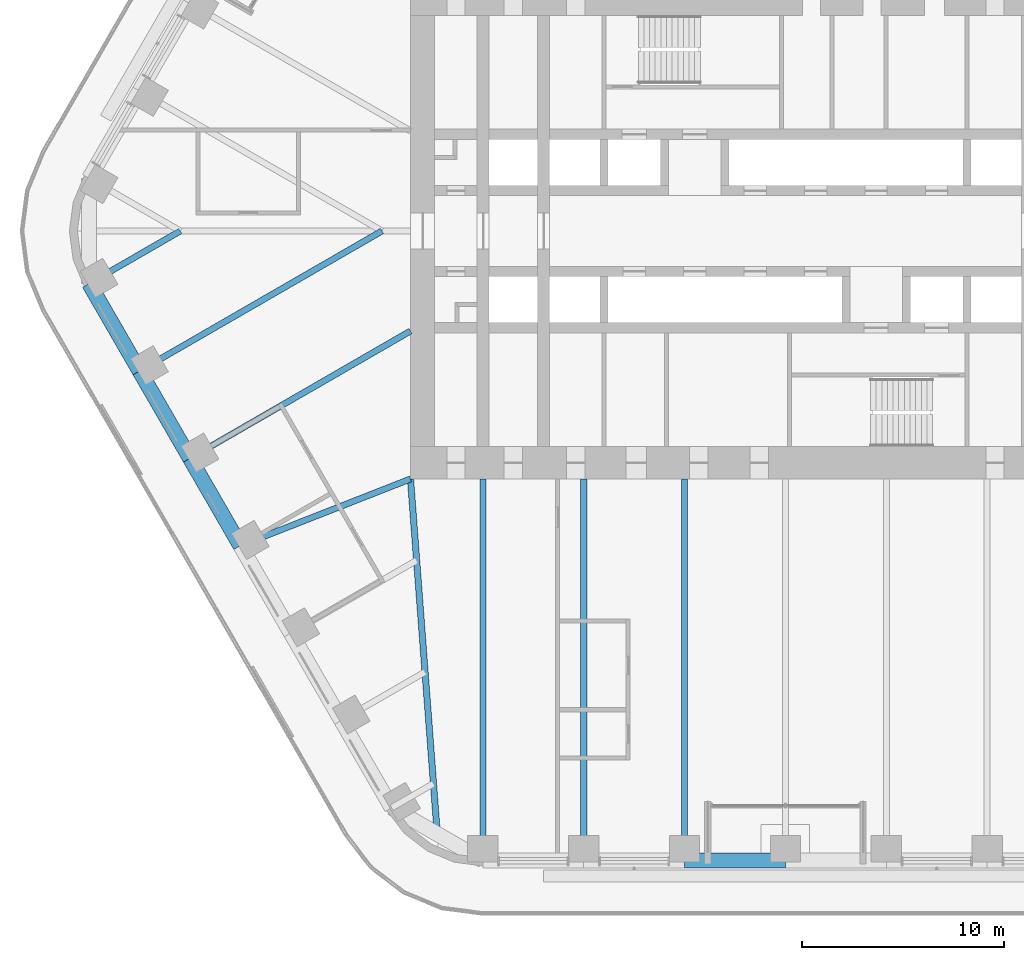
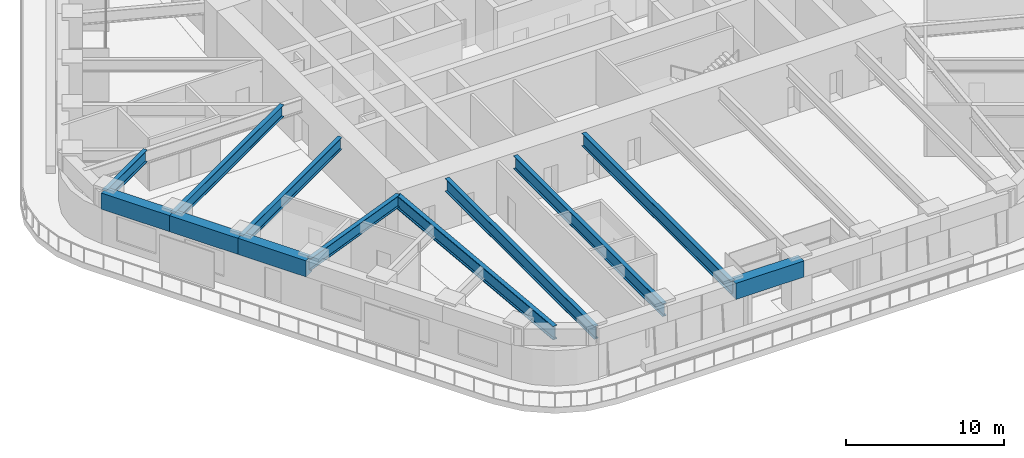
# One storey, part 3 of 24: 12 beams.
"""IFC4 building model written with IfcOpenShell, lengths in metres."""

from ifc_helpers import new_model, si_unit, direction, frame, origin, origin_2d, place, context, subcontext, project, spatial, rectangle, i_section, extrude, material, material_profile, profile_set, type_object, element, save


model = new_model("IFC4")

# Units and contexts
model_context = context("Model", 3, precision=1e-05, world=origin(), true_north=direction((0.0, 1.0)))
body_context = subcontext(model_context, "Body", "Model", "MODEL_VIEW")
ifc_project = project(units=[si_unit("LENGTHUNIT", "METRE"), si_unit("AREAUNIT", "SQUARE_METRE"), si_unit("VOLUMEUNIT", "CUBIC_METRE"), si_unit("PLANEANGLEUNIT", "RADIAN"), si_unit("MASSUNIT", "GRAM", prefix="KILO")], contexts=[model_context])

# Site, building, storey
site_placement = place(None, origin())
site = spatial("IfcSite", under=ifc_project, at=site_placement, CompositionType="ELEMENT")
building_placement = place(site_placement, origin())
building = spatial("IfcBuilding", under=site, at=building_placement, Name="Tarfa Lantern Tower", CompositionType="ELEMENT")
storey_placement = place(building_placement, frame((0.0, 0.0, 190.89990234375)))
storey = spatial("IfcBuildingStorey", under=building, at=storey_placement, Name="L43", CompositionType="ELEMENT", Elevation=190.89990234375)

# Beams
ifc_material_1 = material(Name="Concrete C80/95", Category="concrete")
ifc_material_profile_1 = material_profile(ifc_material_1, rectangle(XDim=0.75, YDim=1.25, at=origin_2d()), Name="RC 750x1250")
ifc_profile_set_1 = profile_set([ifc_material_profile_1], Name="Concrete C80/95")
beam_type_1 = type_object("IfcBeamType", Name="EB2 RC 750x1250", PredefinedType="SPANDREL", material=ifc_profile_set_1)
for number, where, z_axis, x_axis, name in (
    (1, (-34.54296875, -2.610107421875, 3.375), (0.500022324899, -0.866012514114, 0.0), (0.866012514114, 0.500022324899, 0.0), "Edge beam SW0"),
    (2, (-32.041015625, -6.943359375, 3.375), (0.500022324899, -0.866012514114, 0.0), (0.866012514114, 0.500022324899, 0.0), "Edge beam SW1"),
    (3, (-29.5390625, -11.276611328125, 3.375), (0.499964603504, -0.866045838996, 0.0), (0.866045838996, 0.499964603504, 0.0), "Edge beam SW2"),
    (4, (-5.003662109375, -31.219970703125, 3.375), (1.0, 0.0, 0.0), (0.0, 1.0, 0.0), "Edge beam S2"),
):
    element("IfcBeam", number, at=place(storey_placement, frame(where, z_axis=z_axis, x_axis=x_axis)), inside=storey, type_object=beam_type_1, Name=name, PredefinedType="SPANDREL", context=body_context, shape_type="SweptSolid", body=[
        extrude(rectangle(XDim=0.75, YDim=1.25, at=origin_2d()), origin(), (0.0, 0.0, 1.0), 5.003662109375),
    ])
ifc_material_2 = material(Name="Steel S460M", Category="steel")
ifc_material_profile_2 = material_profile(ifc_material_2, i_section(OverallWidth=0.302001953125, OverallDepth=1.008056640625, WebThickness=0.02099609375, FlangeThickness=0.0400390625, FilletRadius=0.030029296875, at=origin_2d()), Name="UB1016x305x349")
ifc_profile_set_2 = profile_set([ifc_material_profile_2], Name="Steel S460M")
beam_type_2 = type_object("IfcBeamType", Name="UB1016x305x349", PredefinedType="BEAM", material=ifc_profile_set_2)
for number, where, z_axis, x_axis, name in (
    (5, (-15.010986328125, -31.219970703125, 3.49609375), (0.0, 1.0, 0.0), (-1.0, 0.0, 0.0), "Floor beam S0"),
    (6, (-10.00732421875, -31.219970703125, 3.49609375), (0.0, 1.0, 0.0), (-1.0, 0.0, 0.0), "Floor beam S1"),
    (7, (-5.003662109375, -31.219970703125, 3.49609375), (0.0, 1.0, 0.0), (-1.0, 0.0, 0.0), "Floor beam S2"),
):
    element("IfcBeam", number, at=place(storey_placement, frame(where, z_axis=z_axis, x_axis=x_axis)), inside=storey, type_object=beam_type_2, Name=name, PredefinedType="BEAM", context=body_context, shape_type="SweptSolid", body=[
        extrude(i_section(OverallWidth=0.302001953125, OverallDepth=1.008056640625, WebThickness=0.02099609375, FlangeThickness=0.0400390625, FilletRadius=0.030029296875, at=origin_2d()), origin(), (0.0, 0.0, 1.0), 18.919921875),
    ])
ifc_material_profile_3 = material_profile(ifc_material_2, i_section(OverallWidth=0.314208984375, OverallDepth=1.055908203125, WebThickness=0.035888671875, FlangeThickness=0.06396484375, FilletRadius=0.030029296875, at=origin_2d()), Name="UB1016x305x584")
ifc_profile_set_3 = profile_set([ifc_material_profile_3], Name="Steel S460M")
beam_type_3 = type_object("IfcBeamType", Name="UB1016x305x584", PredefinedType="BEAM", material=ifc_profile_set_3)
beam_1_placement = place(storey_placement, frame((-18.60009765625, -12.300048828125, 3.47216796875), z_axis=(0.075211516041, -0.99716760269, 0.0), x_axis=(0.99716760269, 0.075211516041, 0.0)))
element("IfcBeam", 8, at=beam_1_placement, inside=storey, type_object=beam_type_3, Name="Hip girder SW", PredefinedType="BEAM", context=body_context, shape_type="SweptSolid", body=[
    extrude(i_section(OverallWidth=0.314208984375, OverallDepth=1.055908203125, WebThickness=0.035888671875, FlangeThickness=0.06396484375, FilletRadius=0.030029296875, at=origin_2d()), origin(), (0.0, 0.0, 1.0), 17.6650390625),
])
ifc_material_profile_4 = material_profile(ifc_material_2, i_section(OverallWidth=0.305419921875, OverallDepth=0.91845703125, WebThickness=0.017333984375, FlangeThickness=0.02783203125, FilletRadius=0.01904296875, at=origin_2d()), Name="UB914x305x253")
ifc_profile_set_4 = profile_set([ifc_material_profile_4], Name="Steel S460M")
beam_type_4 = type_object("IfcBeamType", Name="UB914x305x253", PredefinedType="BEAM", material=ifc_profile_set_4)
beam_2_placement = place(storey_placement, frame((-34.54296875, -2.610107421875, 3.541015625), z_axis=(0.866021250859, 0.500007193008, 0.0), x_axis=(-0.500007193008, 0.866021250859, 0.0)))
element("IfcBeam", 9, at=beam_2_placement, inside=storey, type_object=beam_type_4, Name="Floor beam SW0", PredefinedType="BEAM", context=body_context, shape_type="SweptSolid", body=[
    extrude(i_section(OverallWidth=0.305419921875, OverallDepth=0.91845703125, WebThickness=0.017333984375, FlangeThickness=0.02783203125, FilletRadius=0.01904296875, at=origin_2d()), origin(), (0.0, 0.0, 1.0), 5.22021484375),
])
beam_3_placement = place(storey_placement, frame((-32.041015625, -6.943359375, 3.541015625), z_axis=(0.866023096411, 0.500003996466, 0.0), x_axis=(-0.500003996466, 0.866023096411, 0.0)))
element("IfcBeam", 10, at=beam_3_placement, inside=storey, type_object=beam_type_4, Name="Floor beam SW1", PredefinedType="BEAM", context=body_context, shape_type="SweptSolid", body=[
    extrude(i_section(OverallWidth=0.305419921875, OverallDepth=0.91845703125, WebThickness=0.017333984375, FlangeThickness=0.02783203125, FilletRadius=0.01904296875, at=origin_2d()), origin(), (0.0, 0.0, 1.0), 13.88671875),
])
beam_4_placement = place(storey_placement, frame((-29.5390625, -11.276611328125, 3.541015625), z_axis=(0.866023362995, 0.500003534735, 0.0), x_axis=(-0.500003534735, 0.866023362995, 0.0)))
element("IfcBeam", 11, at=beam_4_placement, inside=storey, type_object=beam_type_4, Name="Floor beam SW2", PredefinedType="BEAM", context=body_context, shape_type="SweptSolid", body=[
    extrude(i_section(OverallWidth=0.305419921875, OverallDepth=0.91845703125, WebThickness=0.017333984375, FlangeThickness=0.02783203125, FilletRadius=0.01904296875, at=origin_2d()), origin(), (0.0, 0.0, 1.0), 12.63134765625),
])
beam_5_placement = place(storey_placement, frame((-27.037353515625, -15.610107421875, 3.541015625), z_axis=(0.930923282782, 0.365214788274, 0.0), x_axis=(-0.365214788274, 0.930923282782, 0.0)))
element("IfcBeam", 12, at=beam_5_placement, inside=storey, type_object=beam_type_4, Name="Floor beam SW3", PredefinedType="BEAM", context=body_context, shape_type="SweptSolid", body=[
    extrude(i_section(OverallWidth=0.305419921875, OverallDepth=0.91845703125, WebThickness=0.017333984375, FlangeThickness=0.02783203125, FilletRadius=0.01904296875, at=origin_2d()), origin(), (0.0, 0.0, 1.0), 9.063232421875),
])

save(model, "model.ifc")
